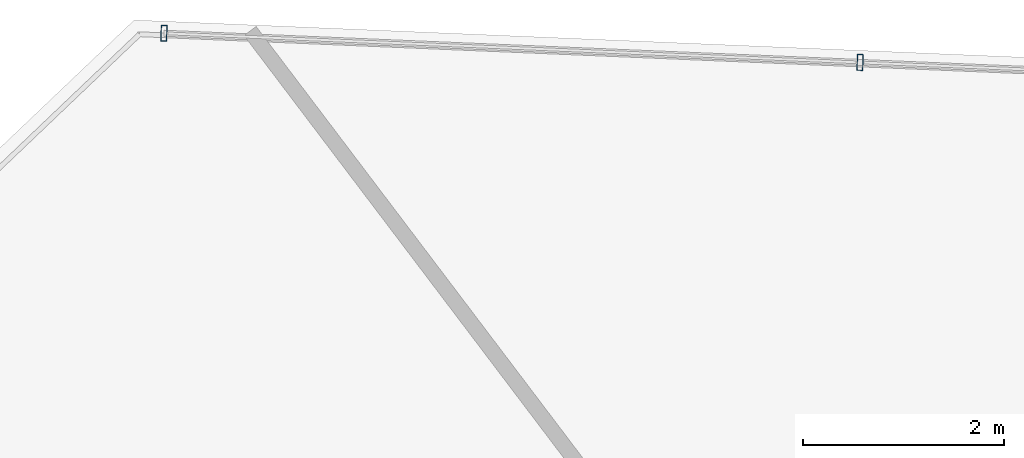
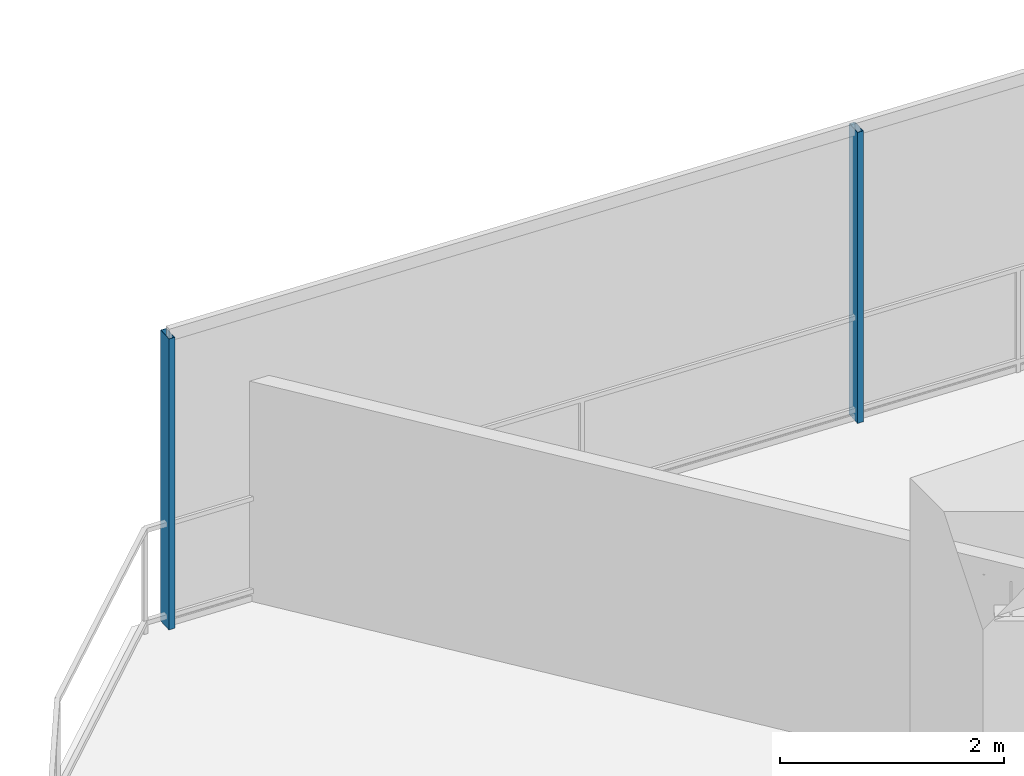
# One storey, part 16 of 30: 2 members, 1 element without a shape of its own.
"""IFC4 building model written with IfcOpenShell, lengths in metres."""

from ifc_helpers import new_model, si_unit, direction, frame, origin, origin_2d, place, context, subcontext, project, spatial, hollow_rectangle, extrude, material, layer, layer_set, material_profile, profile_set, type_object, element, aggregate, save


model = new_model("IFC4")

# Units and contexts
model_context = context("Model", 3, precision=1e-05, world=origin(), true_north=direction((0.0, 1.0)))
body_context = subcontext(model_context, "Body", "Model", "MODEL_VIEW")
ifc_project = project(units=[si_unit("LENGTHUNIT", "METRE"), si_unit("AREAUNIT", "SQUARE_METRE"), si_unit("VOLUMEUNIT", "CUBIC_METRE"), si_unit("PLANEANGLEUNIT", "RADIAN"), si_unit("MASSUNIT", "GRAM", prefix="KILO")], contexts=[model_context])

# Site, building, storey
site_placement = place(None, origin())
site = spatial("IfcSite", under=ifc_project, at=site_placement, CompositionType="ELEMENT")
building_placement = place(site_placement, origin())
building = spatial("IfcBuilding", under=site, at=building_placement, Name="Qarnah Convention Tower", CompositionType="ELEMENT")
storey_placement = place(building_placement, frame((0.0, 0.0, 58.050048828125)))
storey = spatial("IfcBuildingStorey", under=building, at=storey_placement, Name="L14", CompositionType="ELEMENT", Elevation=58.050048828125)

# Curtain wall, members
ifc_material_1 = material(Name="Tempered Low-E dark glass", Category="glass")
ifc_layer = layer(ifc_material_1, 0.16796875)
ifc_layer_set = layer_set([ifc_layer], Name="Tempered Low-E dark glass")
curtain_wall_type = type_object("IfcCurtainWallType", Name="CWS-01", PredefinedType="NOTDEFINED", material=ifc_layer_set)
curtain_wall_placement = place(storey_placement, origin())
curtain_wall = element("IfcCurtainWall", 1, at=curtain_wall_placement, inside=storey, type_object=curtain_wall_type, Name="L14 unitised curtain wall CW-L14-F3", PredefinedType="NOTDEFINED")
ifc_material_2 = material(Name="Black anodised aluminium", Category="aluminium")
ifc_material_profile = material_profile(ifc_material_2, hollow_rectangle(XDim=0.06005859375, YDim=0.159912109375, WallThickness=0.00390625, at=origin_2d()), Name="MUL-60X160")
ifc_profile_set = profile_set([ifc_material_profile], Name="Black anodised aluminium")
member_type = type_object("IfcMemberType", Name="MUL-T1", PredefinedType="MULLION", material=ifc_profile_set)
member_1_placement = place(storey_placement, frame((21.7470703125, 45.35107421875, 0.0), z_axis=(0.0, 0.0, 1.0), x_axis=(0.999122796479, -0.041876455876, 0.0)))
member_1 = element("IfcMember", 2, at=member_1_placement, type_object=member_type, Name="CW-L14-F3 mullion 1", PredefinedType="MULLION", context=body_context, shape_type="SweptSolid", body=[
    extrude(hollow_rectangle(XDim=0.06005859375, YDim=0.159912109375, WallThickness=0.00390625, at=origin_2d()), origin(), (0.0, 0.0, 1.0), 3.169921875),
])
member_2_placement = place(storey_placement, frame((28.675537109375, 45.060546875, 0.0), z_axis=(0.0, 0.0, 1.0), x_axis=(0.999122796479, -0.041876455876, 0.0)))
member_2 = element("IfcMember", 3, at=member_2_placement, type_object=member_type, Name="CW-L14-F3 mullion 2", PredefinedType="MULLION", context=body_context, shape_type="SweptSolid", body=[
    extrude(hollow_rectangle(XDim=0.06005859375, YDim=0.159912109375, WallThickness=0.00390625, at=origin_2d()), origin(), (0.0, 0.0, 1.0), 3.169921875),
])
aggregate(curtain_wall, [member_1, member_2])

save(model, "model.ifc")
